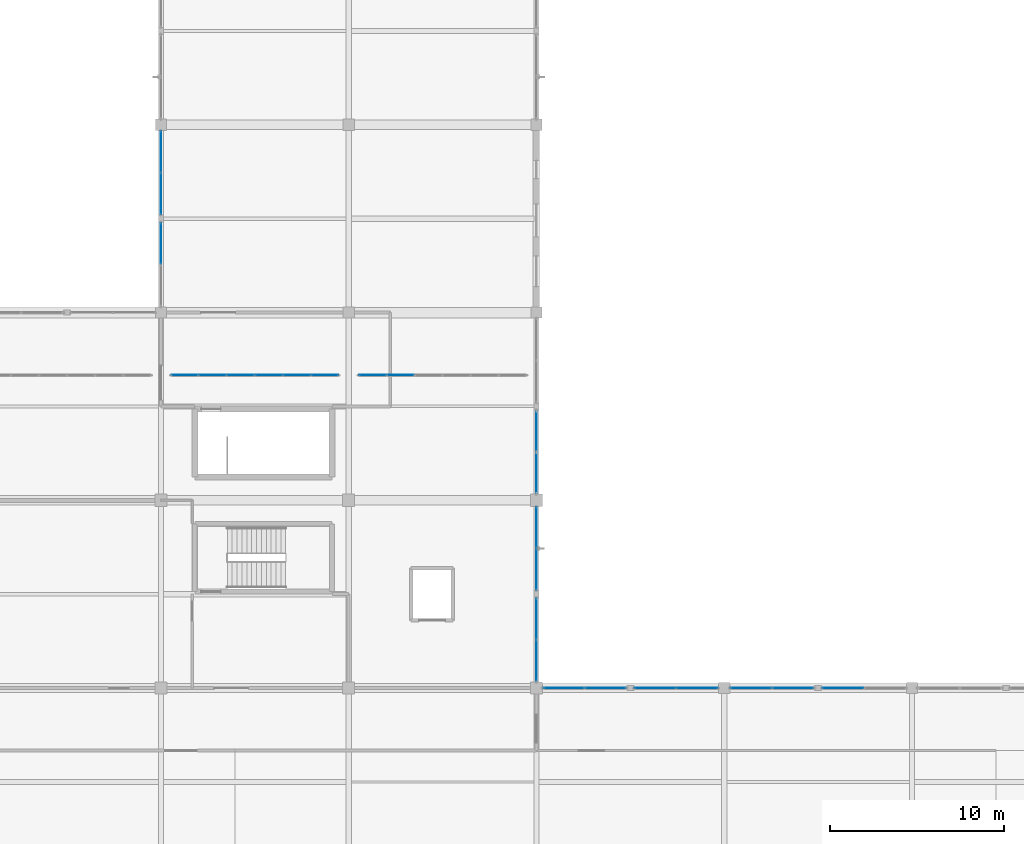
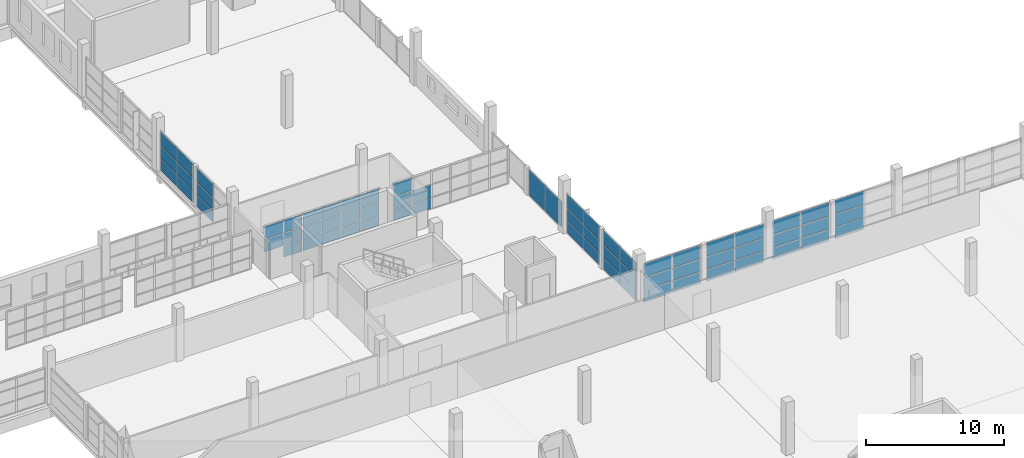
# One storey, part 97 of 142: 66 plates, 11 elements without a shape of their own.
"""IFC4 building model written with IfcOpenShell, lengths in metres."""

import ifcopenshell
import ifcopenshell.guid

model = None  # the IFC model being written
_history = None  # IfcOwnerHistory: only IFC2X3 demands one
_inside = {}  # id of a spatial element -> (the spatial element, [elements in it])
_under = {}  # id of a project, library or spatial element -> (it, [spatial elements below it])
_declared = {}  # id of a project -> (the project, [libraries it declares])
_typed = {}  # id of a type object -> (the type object, [elements of that type])
_made_of = {}  # id of a material, layer set ... -> (it, [elements and type objects made of it])


def new_model(schema):
    """Start an empty IFC model of exactly this schema.

    Asked for "IFC4X3", IfcOpenShell would pick the latest addendum, in which some entities
    have other attributes; the version numbers below select the first issue.
    IFC2X3 requires an IfcOwnerHistory on every rooted entity: one is made here for all.
    """
    global model, _history
    if schema == "IFC4X3":
        model = ifcopenshell.file(schema_version=(4, 3, 0, 0))
    else:
        model = ifcopenshell.file(schema=schema)
    _inside.clear()
    _under.clear()
    _declared.clear()
    _typed.clear()
    _made_of.clear()
    _history = None
    if model.schema == "IFC2X3":
        org = make("IfcOrganization", Name="unknown")
        user = make(
            "IfcPersonAndOrganization",
            ThePerson=make("IfcPerson", FamilyName="unknown"),
            TheOrganization=org,
        )
        app = make(
            "IfcApplication",
            ApplicationDeveloper=org,
            Version="unknown",
            ApplicationFullName="unknown",
            ApplicationIdentifier="unknown",
        )
        _history = make(
            "IfcOwnerHistory",
            OwningUser=user,
            OwningApplication=app,
            ChangeAction="ADDED",
            CreationDate=0,
        )
    return model


def make(cls, **values):
    """One entity of the class cls with the attributes given. An attribute that is None is left unset."""
    return model.create_entity(
        cls, **{name: value for name, value in values.items() if value is not None}
    )


def rooted(cls, **values):
    """An entity with a GlobalId (a new one), such as an element, a storey or a relation."""
    return make(cls, GlobalId=ifcopenshell.guid.new(), OwnerHistory=_history, **values)


def si_unit(unit_type, name, prefix=None):
    """IfcSIUnit, for example si_unit("LENGTHUNIT", "METRE", prefix="MILLI")."""
    return make("IfcSIUnit", UnitType=unit_type, Prefix=prefix, Name=name)


def assignment(units):
    """IfcUnitAssignment: the units of a project."""
    return None if units is None else make("IfcUnitAssignment", Units=units)


def point(xyz):
    """IfcCartesianPoint."""
    return None if xyz is None else make("IfcCartesianPoint", Coordinates=xyz)


def direction(xyz):
    """IfcDirection."""
    return None if xyz is None else make("IfcDirection", DirectionRatios=xyz)


def frame(location, z_axis=None, x_axis=None):
    """IfcAxis2Placement3D, a coordinate frame: its origin and axes. An axis left out is left unset."""
    return make(
        "IfcAxis2Placement3D",
        Location=point(location),
        Axis=direction(z_axis),
        RefDirection=direction(x_axis),
    )


def frame_2d(location, x_axis=None):
    """IfcAxis2Placement2D, a coordinate frame in the plane: its origin and x axis."""
    return make(
        "IfcAxis2Placement2D", Location=point(location), RefDirection=direction(x_axis)
    )


def origin():
    """The frame at (0, 0, 0) with its axes left unset."""
    return frame((0.0, 0.0, 0.0))


def origin_2d():
    """The frame at (0, 0) in the plane with its x axis left unset."""
    return frame_2d((0.0, 0.0))


def place(relative_to, where):
    """IfcLocalPlacement: puts the frame where relative to a parent placement (None: the world)."""
    return make(
        "IfcLocalPlacement", PlacementRelTo=relative_to, RelativePlacement=where
    )


def context(
    kind, dimensions, precision=None, world=None, true_north=None, identifier=None
):
    """IfcGeometricRepresentationContext, for example the 3D "Model" context."""
    return make(
        "IfcGeometricRepresentationContext",
        ContextIdentifier=identifier,
        ContextType=kind,
        CoordinateSpaceDimension=dimensions,
        Precision=precision,
        WorldCoordinateSystem=world,
        TrueNorth=true_north,
    )


def subcontext(parent, identifier, kind, view, scale=None):
    """IfcGeometricRepresentationSubContext, for example "Body" below "Model"."""
    return make(
        "IfcGeometricRepresentationSubContext",
        ContextIdentifier=identifier,
        ContextType=kind,
        ParentContext=parent,
        TargetScale=scale,
        TargetView=view,
    )


def project(units=None, contexts=None):
    """IfcProject with its units and contexts."""
    return rooted(
        "IfcProject",
        Name="project",
        RepresentationContexts=contexts,
        UnitsInContext=assignment(units),
    )


def spatial(cls, under=None, at=None, **own):
    """A site, building, storey or space (cls), placed at a placement, below another one or the project."""
    s = rooted(cls, ObjectPlacement=at, **own)
    if under is not None:
        _under.setdefault(under.id(), (under, []))[1].append(s)
    return s


def profile(cls, at=None, kind="AREA", **sizes):
    """A parametric profile (cls). Its sizes go by their IFC names, for example OverallWidth=200.0."""
    return make(cls, ProfileType=kind, Position=at, **sizes)


def rectangle(**sizes):
    """IfcRectangleProfileDef."""
    return profile("IfcRectangleProfileDef", **sizes)


def extrude(swept, where, along, depth):
    """IfcExtrudedAreaSolid: the profile swept, set in the frame where, extruded along a direction by depth."""
    return make(
        "IfcExtrudedAreaSolid",
        SweptArea=swept,
        Position=where,
        ExtrudedDirection=direction(along),
        Depth=depth,
    )


def shape(context_of_items, identifier, shape_type, items):
    """IfcShapeRepresentation: the items that make up one representation, for example the "Body"."""
    return make(
        "IfcShapeRepresentation",
        ContextOfItems=context_of_items,
        RepresentationIdentifier=identifier,
        RepresentationType=shape_type,
        Items=items,
    )


def material(Name=None, Category=None):
    """IfcMaterial."""
    return make("IfcMaterial", Name=Name, Category=Category)


def layer(
    of_material, thickness, ventilated=None, Name=None, Category=None, Priority=None
):
    """IfcMaterialLayer: one layer of a wall or slab, of a material (None: an air gap)."""
    return make(
        "IfcMaterialLayer",
        Material=of_material,
        LayerThickness=thickness,
        IsVentilated=ventilated,
        Name=Name,
        Category=Category,
        Priority=Priority,
    )


def layer_set(layers, Name=None):
    """IfcMaterialLayerSet."""
    return make("IfcMaterialLayerSet", MaterialLayers=layers, LayerSetName=Name)


def made_of(thing, what):
    """Note that an element or type object is made of a material, layer set ...; save() writes the relation."""
    if what is not None:
        _made_of.setdefault(what.id(), (what, []))[1].append(thing)
    return thing


def type_object(cls, material=None, **own):
    """A type object (cls), such as IfcWallType, which elements share."""
    return made_of(rooted(cls, **own), material)


def element(
    cls,
    number,
    at=None,
    inside=None,
    cuts=None,
    type_object=None,
    material=None,
    context=None,
    identifier="Body",
    shape_type=None,
    held_by="IfcProductDefinitionShape",
    body=None,
    shapes=None,
    **own,
):
    """One element of the class cls, such as IfcWall. Its Tag is "e" and its number.

    at: its placement. inside: the storey or other place that contains it. cuts: it is an
    opening in that element (IfcRelVoidsElement). A single representation is given by context,
    identifier, shape_type and body (its items); several are given by shapes. held_by: the class
    of the entity that holds the representations. save() writes the other relations.
    """
    e = rooted(cls, Tag="e%d" % number, ObjectPlacement=at, **own)
    if body is not None:
        shapes = [shape(context, identifier, shape_type, body)]
    if shapes is not None:
        e.Representation = make(held_by, Representations=shapes)
    if inside is not None:
        _inside.setdefault(inside.id(), (inside, []))[1].append(e)
    if cuts is not None:
        rooted(
            "IfcRelVoidsElement", RelatingBuildingElement=cuts, RelatedOpeningElement=e
        )
    if type_object is not None:
        _typed.setdefault(type_object.id(), (type_object, []))[1].append(e)
    return made_of(e, material)


def aggregate(whole, parts):
    """IfcRelAggregates: a whole, such as a stair, and the parts it consists of."""
    return rooted("IfcRelAggregates", RelatingObject=whole, RelatedObjects=parts)


def save(model, path):
    """Write the relations noted so far, then the file.

    IfcRelAggregates (storeys below a building ...), IfcRelContainedInSpatialStructure (elements
    in a storey), IfcRelDefinesByType, IfcRelAssociatesMaterial and IfcRelDeclares: one each for
    every whole, place, type object, material and project.
    """
    for whole, parts in _under.values():
        aggregate(whole, parts)
    for where, things in _inside.values():
        rooted(
            "IfcRelContainedInSpatialStructure",
            RelatedElements=things,
            RelatingStructure=where,
        )
    for kind, things in _typed.values():
        rooted("IfcRelDefinesByType", RelatedObjects=things, RelatingType=kind)
    for what, things in _made_of.values():
        rooted("IfcRelAssociatesMaterial", RelatedObjects=things, RelatingMaterial=what)
    for by, libraries in _declared.values():
        rooted("IfcRelDeclares", RelatingContext=by, RelatedDefinitions=libraries)
    model.write(path)


model = new_model("IFC4")

# Units and contexts
model_context = context("Model", 3, precision=1e-05, world=origin(), true_north=direction((0.0, 1.0)))
body_context = subcontext(model_context, "Body", "Model", "MODEL_VIEW")
ifc_project = project(units=[si_unit("LENGTHUNIT", "METRE"), si_unit("AREAUNIT", "SQUARE_METRE"), si_unit("VOLUMEUNIT", "CUBIC_METRE"), si_unit("PLANEANGLEUNIT", "RADIAN"), si_unit("MASSUNIT", "GRAM", prefix="KILO")], contexts=[model_context])

# Site, building, storey
site_placement = place(None, origin())
site = spatial("IfcSite", under=ifc_project, at=site_placement, CompositionType="ELEMENT")
building_placement = place(site_placement, origin())
building = spatial("IfcBuilding", under=site, at=building_placement, Name="Zwinboog Wholesale Market", CompositionType="ELEMENT")
storey_placement = place(building_placement, frame((0.0, 0.0, 5.39990234375)))
storey = spatial("IfcBuildingStorey", under=building, at=storey_placement, Name="L01", CompositionType="ELEMENT", Elevation=5.39990234375)

# Curtain wall, plates
ifc_material_1 = material(Name="Aluminium thermally broken curtain wall", Category="aluminium")
curtain_wall_type_1 = type_object("IfcCurtainWallType", Name="CWT-CAFE-22", PredefinedType="USERDEFINED", material=ifc_material_1)
curtain_wall_1_placement = place(storey_placement, origin())
curtain_wall_1 = element("IfcCurtainWall", 1, at=curtain_wall_1_placement, inside=storey, type_object=curtain_wall_type_1, Name="CW-05 (CW-L01-131)", ObjectType="STOREFRONT_GLAZING", PredefinedType="USERDEFINED")
ifc_material_2 = material(Name="Double low-e insulated glazing", Category="glass")
ifc_layer_1 = layer(ifc_material_2, 0.031982421875)
ifc_layer_set_1 = layer_set([ifc_layer_1], Name="Double low-e insulated glazing")
plate_type_1 = type_object("IfcPlateType", Name="CWP-IGU-32", PredefinedType="CURTAIN_PANEL", material=ifc_layer_set_1)
plate_1_placement = place(storey_placement, frame((172.800048828125, 33.97509765625, 0.065185546875), z_axis=(0.0, 0.0, 1.0), x_axis=(0.0, 1.0, 0.0)))
plate_1 = element("IfcPlate", 2, at=plate_1_placement, type_object=plate_type_1, Name="CW-05 panel 1.1", PredefinedType="CURTAIN_PANEL", context=body_context, shape_type="SweptSolid", body=[
    extrude(rectangle(XDim=2.330078125, YDim=0.031982421875, at=origin_2d()), origin(), (0.0, 0.0, 1.0), 1.00244140625),
])
plate_2_placement = place(storey_placement, frame((172.800048828125, 33.97509765625, 1.132568359375), z_axis=(0.0, 0.0, 1.0), x_axis=(0.0, 1.0, 0.0)))
plate_2 = element("IfcPlate", 3, at=plate_2_placement, type_object=plate_type_1, Name="CW-05 panel 1.2", PredefinedType="CURTAIN_PANEL", context=body_context, shape_type="SweptSolid", body=[
    extrude(rectangle(XDim=2.330078125, YDim=0.031982421875, at=origin_2d()), origin(), (0.0, 0.0, 1.0), 1.0849609375),
])
plate_3_placement = place(storey_placement, frame((172.800048828125, 33.97509765625, 2.282470703125), z_axis=(0.0, 0.0, 1.0), x_axis=(0.0, 1.0, 0.0)))
plate_3 = element("IfcPlate", 4, at=plate_3_placement, type_object=plate_type_1, Name="CW-05 panel 1.3", PredefinedType="CURTAIN_PANEL", context=body_context, shape_type="SweptSolid", body=[
    extrude(rectangle(XDim=2.330078125, YDim=0.031982421875, at=origin_2d()), origin(), (0.0, 0.0, 1.0), 1.1826171875),
])
plate_4_placement = place(storey_placement, frame((172.800048828125, 36.3701171875, 0.065185546875), z_axis=(0.0, 0.0, 1.0), x_axis=(0.0, 1.0, 0.0)))
plate_4 = element("IfcPlate", 5, at=plate_4_placement, type_object=plate_type_1, Name="CW-05 panel 2.1", PredefinedType="CURTAIN_PANEL", context=body_context, shape_type="SweptSolid", body=[
    extrude(rectangle(XDim=2.330078125, YDim=0.031982421875, at=origin_2d()), origin(), (0.0, 0.0, 1.0), 1.00244140625),
])
plate_5_placement = place(storey_placement, frame((172.800048828125, 36.3701171875, 1.132568359375), z_axis=(0.0, 0.0, 1.0), x_axis=(0.0, 1.0, 0.0)))
plate_5 = element("IfcPlate", 6, at=plate_5_placement, type_object=plate_type_1, Name="CW-05 panel 2.2", PredefinedType="CURTAIN_PANEL", context=body_context, shape_type="SweptSolid", body=[
    extrude(rectangle(XDim=2.330078125, YDim=0.031982421875, at=origin_2d()), origin(), (0.0, 0.0, 1.0), 1.0849609375),
])
plate_6_placement = place(storey_placement, frame((172.800048828125, 36.3701171875, 2.282470703125), z_axis=(0.0, 0.0, 1.0), x_axis=(0.0, 1.0, 0.0)))
plate_6 = element("IfcPlate", 7, at=plate_6_placement, type_object=plate_type_1, Name="CW-05 panel 2.3", PredefinedType="CURTAIN_PANEL", context=body_context, shape_type="SweptSolid", body=[
    extrude(rectangle(XDim=2.330078125, YDim=0.031982421875, at=origin_2d()), origin(), (0.0, 0.0, 1.0), 1.1826171875),
])
aggregate(curtain_wall_1, [plate_1, plate_2, plate_3, plate_4, plate_5, plate_6])

curtain_wall_type_2 = type_object("IfcCurtainWallType", Name="CWT-OFF-15", PredefinedType="USERDEFINED", material=ifc_material_1)
curtain_wall_2_placement = place(storey_placement, origin())
curtain_wall_2 = element("IfcCurtainWall", 8, at=curtain_wall_2_placement, inside=storey, type_object=curtain_wall_type_2, Name="CW-06 (CW-L01-132)", ObjectType="UNITIZED_CURTAIN_WALL", PredefinedType="USERDEFINED")
plate_7_placement = place(storey_placement, frame((172.800048828125, 39.228759765625, 0.06005859375), z_axis=(0.0, 0.0, 1.0), x_axis=(0.0, 1.0, 0.0)))
plate_7 = element("IfcPlate", 9, at=plate_7_placement, type_object=plate_type_1, Name="CW-06 panel 1.1", PredefinedType="CURTAIN_PANEL", context=body_context, shape_type="SweptSolid", body=[
    extrude(rectangle(XDim=2.33740234375, YDim=0.031982421875, at=origin_2d()), origin(), (0.0, 0.0, 1.0), 1.010009765625),
])
plate_8_placement = place(storey_placement, frame((172.800048828125, 39.228759765625, 1.1298828125), z_axis=(0.0, 0.0, 1.0), x_axis=(0.0, 1.0, 0.0)))
plate_8 = element("IfcPlate", 10, at=plate_8_placement, type_object=plate_type_1, Name="CW-06 panel 1.2", PredefinedType="CURTAIN_PANEL", context=body_context, shape_type="SweptSolid", body=[
    extrude(rectangle(XDim=2.33740234375, YDim=0.031982421875, at=origin_2d()), origin(), (0.0, 0.0, 1.0), 1.090087890625),
])
plate_9_placement = place(storey_placement, frame((172.800048828125, 39.228759765625, 2.280029296875), z_axis=(0.0, 0.0, 1.0), x_axis=(0.0, 1.0, 0.0)))
plate_9 = element("IfcPlate", 11, at=plate_9_placement, type_object=plate_type_1, Name="CW-06 panel 1.3", PredefinedType="CURTAIN_PANEL", context=body_context, shape_type="SweptSolid", body=[
    extrude(rectangle(XDim=2.33740234375, YDim=0.031982421875, at=origin_2d()), origin(), (0.0, 0.0, 1.0), 1.18994140625),
])
plate_10_placement = place(storey_placement, frame((172.800048828125, 41.626220703125, 0.06005859375), z_axis=(0.0, 0.0, 1.0), x_axis=(0.0, 1.0, 0.0)))
plate_10 = element("IfcPlate", 12, at=plate_10_placement, type_object=plate_type_1, Name="CW-06 panel 2.1", PredefinedType="CURTAIN_PANEL", context=body_context, shape_type="SweptSolid", body=[
    extrude(rectangle(XDim=2.33740234375, YDim=0.031982421875, at=origin_2d()), origin(), (0.0, 0.0, 1.0), 1.010009765625),
])
plate_11_placement = place(storey_placement, frame((172.800048828125, 41.626220703125, 1.1298828125), z_axis=(0.0, 0.0, 1.0), x_axis=(0.0, 1.0, 0.0)))
plate_11 = element("IfcPlate", 13, at=plate_11_placement, type_object=plate_type_1, Name="CW-06 panel 2.2", PredefinedType="CURTAIN_PANEL", context=body_context, shape_type="SweptSolid", body=[
    extrude(rectangle(XDim=2.33740234375, YDim=0.031982421875, at=origin_2d()), origin(), (0.0, 0.0, 1.0), 1.090087890625),
])
plate_12_placement = place(storey_placement, frame((172.800048828125, 41.626220703125, 2.280029296875), z_axis=(0.0, 0.0, 1.0), x_axis=(0.0, 1.0, 0.0)))
plate_12 = element("IfcPlate", 14, at=plate_12_placement, type_object=plate_type_1, Name="CW-06 panel 2.3", PredefinedType="CURTAIN_PANEL", context=body_context, shape_type="SweptSolid", body=[
    extrude(rectangle(XDim=2.33740234375, YDim=0.031982421875, at=origin_2d()), origin(), (0.0, 0.0, 1.0), 1.18994140625),
])
aggregate(curtain_wall_2, [plate_7, plate_8, plate_9, plate_10, plate_11, plate_12])

curtain_wall_3_placement = place(storey_placement, origin())
curtain_wall_3 = element("IfcCurtainWall", 15, at=curtain_wall_3_placement, inside=storey, type_object=curtain_wall_type_1, Name="CW-05 (CW-L01-143)", ObjectType="STOREFRONT_GLAZING", PredefinedType="USERDEFINED")
plate_13_placement = place(storey_placement, frame((174.375, 32.39990234375, 0.065185546875), z_axis=(0.0, 0.0, 1.0), x_axis=(1.0, 0.0, 0.0)))
plate_13 = element("IfcPlate", 16, at=plate_13_placement, type_object=plate_type_1, Name="CW-05 panel 1.1", PredefinedType="CURTAIN_PANEL", context=body_context, shape_type="SweptSolid", body=[
    extrude(rectangle(XDim=2.330078125, YDim=0.031982421875, at=origin_2d()), origin(), (0.0, 0.0, 1.0), 1.00244140625),
])
plate_14_placement = place(storey_placement, frame((174.375, 32.39990234375, 1.132568359375), z_axis=(0.0, 0.0, 1.0), x_axis=(1.0, 0.0, 0.0)))
plate_14 = element("IfcPlate", 17, at=plate_14_placement, type_object=plate_type_1, Name="CW-05 panel 1.2", PredefinedType="CURTAIN_PANEL", context=body_context, shape_type="SweptSolid", body=[
    extrude(rectangle(XDim=2.330078125, YDim=0.031982421875, at=origin_2d()), origin(), (0.0, 0.0, 1.0), 1.0849609375),
])
plate_15_placement = place(storey_placement, frame((174.375, 32.39990234375, 2.282470703125), z_axis=(0.0, 0.0, 1.0), x_axis=(1.0, 0.0, 0.0)))
plate_15 = element("IfcPlate", 18, at=plate_15_placement, type_object=plate_type_1, Name="CW-05 panel 1.3", PredefinedType="CURTAIN_PANEL", context=body_context, shape_type="SweptSolid", body=[
    extrude(rectangle(XDim=2.330078125, YDim=0.031982421875, at=origin_2d()), origin(), (0.0, 0.0, 1.0), 1.1826171875),
])
plate_16_placement = place(storey_placement, frame((176.77001953125, 32.39990234375, 0.065185546875), z_axis=(0.0, 0.0, 1.0), x_axis=(1.0, 0.0, 0.0)))
plate_16 = element("IfcPlate", 19, at=plate_16_placement, type_object=plate_type_1, Name="CW-05 panel 2.1", PredefinedType="CURTAIN_PANEL", context=body_context, shape_type="SweptSolid", body=[
    extrude(rectangle(XDim=2.330078125, YDim=0.031982421875, at=origin_2d()), origin(), (0.0, 0.0, 1.0), 1.00244140625),
])
plate_17_placement = place(storey_placement, frame((176.77001953125, 32.39990234375, 1.132568359375), z_axis=(0.0, 0.0, 1.0), x_axis=(1.0, 0.0, 0.0)))
plate_17 = element("IfcPlate", 20, at=plate_17_placement, type_object=plate_type_1, Name="CW-05 panel 2.2", PredefinedType="CURTAIN_PANEL", context=body_context, shape_type="SweptSolid", body=[
    extrude(rectangle(XDim=2.330078125, YDim=0.031982421875, at=origin_2d()), origin(), (0.0, 0.0, 1.0), 1.0849609375),
])
plate_18_placement = place(storey_placement, frame((176.77001953125, 32.39990234375, 2.282470703125), z_axis=(0.0, 0.0, 1.0), x_axis=(1.0, 0.0, 0.0)))
plate_18 = element("IfcPlate", 21, at=plate_18_placement, type_object=plate_type_1, Name="CW-05 panel 2.3", PredefinedType="CURTAIN_PANEL", context=body_context, shape_type="SweptSolid", body=[
    extrude(rectangle(XDim=2.330078125, YDim=0.031982421875, at=origin_2d()), origin(), (0.0, 0.0, 1.0), 1.1826171875),
])
aggregate(curtain_wall_3, [plate_13, plate_14, plate_15, plate_16, plate_17, plate_18])

curtain_wall_4_placement = place(storey_placement, origin())
curtain_wall_4 = element("IfcCurtainWall", 22, at=curtain_wall_4_placement, inside=storey, type_object=curtain_wall_type_2, Name="CW-06 (CW-L01-144)", ObjectType="UNITIZED_CURTAIN_WALL", PredefinedType="USERDEFINED")
plate_19_placement = place(storey_placement, frame((179.635009765625, 32.39990234375, 0.06005859375), z_axis=(0.0, 0.0, 1.0), x_axis=(1.0, 0.0, 0.0)))
plate_19 = element("IfcPlate", 23, at=plate_19_placement, type_object=plate_type_1, Name="CW-06 panel 1.1", PredefinedType="CURTAIN_PANEL", context=body_context, shape_type="SweptSolid", body=[
    extrude(rectangle(XDim=2.35009765625, YDim=0.031982421875, at=origin_2d()), origin(), (0.0, 0.0, 1.0), 1.010009765625),
])
plate_20_placement = place(storey_placement, frame((179.635009765625, 32.39990234375, 1.1298828125), z_axis=(0.0, 0.0, 1.0), x_axis=(1.0, 0.0, 0.0)))
plate_20 = element("IfcPlate", 24, at=plate_20_placement, type_object=plate_type_1, Name="CW-06 panel 1.2", PredefinedType="CURTAIN_PANEL", context=body_context, shape_type="SweptSolid", body=[
    extrude(rectangle(XDim=2.35009765625, YDim=0.031982421875, at=origin_2d()), origin(), (0.0, 0.0, 1.0), 1.090087890625),
])
plate_21_placement = place(storey_placement, frame((179.635009765625, 32.39990234375, 2.280029296875), z_axis=(0.0, 0.0, 1.0), x_axis=(1.0, 0.0, 0.0)))
plate_21 = element("IfcPlate", 25, at=plate_21_placement, type_object=plate_type_1, Name="CW-06 panel 1.3", PredefinedType="CURTAIN_PANEL", context=body_context, shape_type="SweptSolid", body=[
    extrude(rectangle(XDim=2.35009765625, YDim=0.031982421875, at=origin_2d()), origin(), (0.0, 0.0, 1.0), 1.18994140625),
])
plate_22_placement = place(storey_placement, frame((182.044921875, 32.39990234375, 0.06005859375), z_axis=(0.0, 0.0, 1.0), x_axis=(1.0, 0.0, 0.0)))
plate_22 = element("IfcPlate", 26, at=plate_22_placement, type_object=plate_type_1, Name="CW-06 panel 2.1", PredefinedType="CURTAIN_PANEL", context=body_context, shape_type="SweptSolid", body=[
    extrude(rectangle(XDim=2.35009765625, YDim=0.031982421875, at=origin_2d()), origin(), (0.0, 0.0, 1.0), 1.010009765625),
])
plate_23_placement = place(storey_placement, frame((182.044921875, 32.39990234375, 1.1298828125), z_axis=(0.0, 0.0, 1.0), x_axis=(1.0, 0.0, 0.0)))
plate_23 = element("IfcPlate", 27, at=plate_23_placement, type_object=plate_type_1, Name="CW-06 panel 2.2", PredefinedType="CURTAIN_PANEL", context=body_context, shape_type="SweptSolid", body=[
    extrude(rectangle(XDim=2.35009765625, YDim=0.031982421875, at=origin_2d()), origin(), (0.0, 0.0, 1.0), 1.090087890625),
])
plate_24_placement = place(storey_placement, frame((182.044921875, 32.39990234375, 2.280029296875), z_axis=(0.0, 0.0, 1.0), x_axis=(1.0, 0.0, 0.0)))
plate_24 = element("IfcPlate", 28, at=plate_24_placement, type_object=plate_type_1, Name="CW-06 panel 2.3", PredefinedType="CURTAIN_PANEL", context=body_context, shape_type="SweptSolid", body=[
    extrude(rectangle(XDim=2.35009765625, YDim=0.031982421875, at=origin_2d()), origin(), (0.0, 0.0, 1.0), 1.18994140625),
])
aggregate(curtain_wall_4, [plate_19, plate_20, plate_21, plate_22, plate_23, plate_24])

curtain_wall_type_3 = type_object("IfcCurtainWallType", Name="CWT-STALL-18", PredefinedType="USERDEFINED", material=ifc_material_1)
curtain_wall_5_placement = place(storey_placement, origin())
curtain_wall_5 = element("IfcCurtainWall", 29, at=curtain_wall_5_placement, inside=storey, type_object=curtain_wall_type_3, Name="CW-01 (CW-L01-145)", ObjectType="STOREFRONT_GLAZING", PredefinedType="USERDEFINED")
plate_25_placement = place(storey_placement, frame((185.15625, 32.39990234375, 0.065185546875), z_axis=(0.0, 0.0, 1.0), x_axis=(1.0, 0.0, 0.0)))
plate_25 = element("IfcPlate", 30, at=plate_25_placement, type_object=plate_type_1, Name="CW-01 panel 1.1", PredefinedType="CURTAIN_PANEL", context=body_context, shape_type="SweptSolid", body=[
    extrude(rectangle(XDim=2.342529296875, YDim=0.031982421875, at=origin_2d()), origin(), (0.0, 0.0, 1.0), 1.00244140625),
])
plate_26_placement = place(storey_placement, frame((185.15625, 32.39990234375, 1.132568359375), z_axis=(0.0, 0.0, 1.0), x_axis=(1.0, 0.0, 0.0)))
plate_26 = element("IfcPlate", 31, at=plate_26_placement, type_object=plate_type_1, Name="CW-01 panel 1.2", PredefinedType="CURTAIN_PANEL", context=body_context, shape_type="SweptSolid", body=[
    extrude(rectangle(XDim=2.342529296875, YDim=0.031982421875, at=origin_2d()), origin(), (0.0, 0.0, 1.0), 1.0849609375),
])
plate_27_placement = place(storey_placement, frame((185.15625, 32.39990234375, 2.282470703125), z_axis=(0.0, 0.0, 1.0), x_axis=(1.0, 0.0, 0.0)))
plate_27 = element("IfcPlate", 32, at=plate_27_placement, type_object=plate_type_1, Name="CW-01 panel 1.3", PredefinedType="CURTAIN_PANEL", context=body_context, shape_type="SweptSolid", body=[
    extrude(rectangle(XDim=2.342529296875, YDim=0.031982421875, at=origin_2d()), origin(), (0.0, 0.0, 1.0), 1.1826171875),
])
plate_28_placement = place(storey_placement, frame((187.563720703125, 32.39990234375, 0.065185546875), z_axis=(0.0, 0.0, 1.0), x_axis=(1.0, 0.0, 0.0)))
plate_28 = element("IfcPlate", 33, at=plate_28_placement, type_object=plate_type_1, Name="CW-01 panel 2.1", PredefinedType="CURTAIN_PANEL", context=body_context, shape_type="SweptSolid", body=[
    extrude(rectangle(XDim=2.342529296875, YDim=0.031982421875, at=origin_2d()), origin(), (0.0, 0.0, 1.0), 1.00244140625),
])
plate_29_placement = place(storey_placement, frame((187.563720703125, 32.39990234375, 1.132568359375), z_axis=(0.0, 0.0, 1.0), x_axis=(1.0, 0.0, 0.0)))
plate_29 = element("IfcPlate", 34, at=plate_29_placement, type_object=plate_type_1, Name="CW-01 panel 2.2", PredefinedType="CURTAIN_PANEL", context=body_context, shape_type="SweptSolid", body=[
    extrude(rectangle(XDim=2.342529296875, YDim=0.031982421875, at=origin_2d()), origin(), (0.0, 0.0, 1.0), 1.0849609375),
])
plate_30_placement = place(storey_placement, frame((187.563720703125, 32.39990234375, 2.282470703125), z_axis=(0.0, 0.0, 1.0), x_axis=(1.0, 0.0, 0.0)))
plate_30 = element("IfcPlate", 35, at=plate_30_placement, type_object=plate_type_1, Name="CW-01 panel 2.3", PredefinedType="CURTAIN_PANEL", context=body_context, shape_type="SweptSolid", body=[
    extrude(rectangle(XDim=2.342529296875, YDim=0.031982421875, at=origin_2d()), origin(), (0.0, 0.0, 1.0), 1.1826171875),
])
aggregate(curtain_wall_5, [plate_25, plate_26, plate_27, plate_28, plate_29, plate_30])

curtain_wall_type_4 = type_object("IfcCurtainWallType", Name="CWT-STALL-20", PredefinedType="USERDEFINED", material=ifc_material_1)
curtain_wall_6_placement = place(storey_placement, origin())
curtain_wall_6 = element("IfcCurtainWall", 36, at=curtain_wall_6_placement, inside=storey, type_object=curtain_wall_type_4, Name="CW-02 (CW-L01-146)", ObjectType="STOREFRONT_GLAZING", PredefinedType="USERDEFINED")
plate_31_placement = place(storey_placement, frame((190.43505859375, 32.39990234375, 0.06005859375), z_axis=(0.0, 0.0, 1.0), x_axis=(1.0, 0.0, 0.0)))
plate_31 = element("IfcPlate", 37, at=plate_31_placement, type_object=plate_type_1, Name="CW-02 panel 1.1", PredefinedType="CURTAIN_PANEL", context=body_context, shape_type="SweptSolid", body=[
    extrude(rectangle(XDim=2.35009765625, YDim=0.031982421875, at=origin_2d()), origin(), (0.0, 0.0, 1.0), 1.010009765625),
])
plate_32_placement = place(storey_placement, frame((190.43505859375, 32.39990234375, 1.1298828125), z_axis=(0.0, 0.0, 1.0), x_axis=(1.0, 0.0, 0.0)))
plate_32 = element("IfcPlate", 38, at=plate_32_placement, type_object=plate_type_1, Name="CW-02 panel 1.2", PredefinedType="CURTAIN_PANEL", context=body_context, shape_type="SweptSolid", body=[
    extrude(rectangle(XDim=2.35009765625, YDim=0.031982421875, at=origin_2d()), origin(), (0.0, 0.0, 1.0), 1.090087890625),
])
plate_33_placement = place(storey_placement, frame((190.43505859375, 32.39990234375, 2.280029296875), z_axis=(0.0, 0.0, 1.0), x_axis=(1.0, 0.0, 0.0)))
plate_33 = element("IfcPlate", 39, at=plate_33_placement, type_object=plate_type_1, Name="CW-02 panel 1.3", PredefinedType="CURTAIN_PANEL", context=body_context, shape_type="SweptSolid", body=[
    extrude(rectangle(XDim=2.35009765625, YDim=0.031982421875, at=origin_2d()), origin(), (0.0, 0.0, 1.0), 1.18994140625),
])
aggregate(curtain_wall_6, [plate_31, plate_32, plate_33])

curtain_wall_7_placement = place(storey_placement, origin())
curtain_wall_7 = element("IfcCurtainWall", 40, at=curtain_wall_7_placement, inside=storey, type_object=curtain_wall_type_3, Name="CW-01 (CW-L01-127)", ObjectType="STOREFRONT_GLAZING", PredefinedType="USERDEFINED")
ifc_material_3 = material(Name="Triple solar-control insulated glazing", Category="glass")
ifc_layer_2 = layer(ifc_material_3, 0.0380859375)
ifc_layer_set_2 = layer_set([ifc_layer_2], Name="Triple solar-control insulated glazing")
plate_type_2 = type_object("IfcPlateType", Name="CWP-IGU-38", PredefinedType="CURTAIN_PANEL", material=ifc_layer_set_2)
plate_34_placement = place(storey_placement, frame((151.199951171875, 57.9638671875, 0.065185546875), z_axis=(0.0, 0.0, 1.0), x_axis=(0.0, 1.0, 0.0)))
plate_34 = element("IfcPlate", 41, at=plate_34_placement, type_object=plate_type_2, Name="CW-01 panel 2.1", PredefinedType="CURTAIN_PANEL", context=body_context, shape_type="SweptSolid", body=[
    extrude(rectangle(XDim=2.342529296875, YDim=0.0380859375, at=origin_2d()), origin(), (0.0, 0.0, 1.0), 1.00244140625),
])
plate_35_placement = place(storey_placement, frame((151.199951171875, 57.9638671875, 1.132568359375), z_axis=(0.0, 0.0, 1.0), x_axis=(0.0, 1.0, 0.0)))
plate_35 = element("IfcPlate", 42, at=plate_35_placement, type_object=plate_type_2, Name="CW-01 panel 2.2", PredefinedType="CURTAIN_PANEL", context=body_context, shape_type="SweptSolid", body=[
    extrude(rectangle(XDim=2.342529296875, YDim=0.0380859375, at=origin_2d()), origin(), (0.0, 0.0, 1.0), 1.0849609375),
])
plate_36_placement = place(storey_placement, frame((151.199951171875, 57.9638671875, 2.282470703125), z_axis=(0.0, 0.0, 1.0), x_axis=(0.0, 1.0, 0.0)))
plate_36 = element("IfcPlate", 43, at=plate_36_placement, type_object=plate_type_2, Name="CW-01 panel 2.3", PredefinedType="CURTAIN_PANEL", context=body_context, shape_type="SweptSolid", body=[
    extrude(rectangle(XDim=2.342529296875, YDim=0.0380859375, at=origin_2d()), origin(), (0.0, 0.0, 1.0), 1.1826171875),
])
aggregate(curtain_wall_7, [plate_34, plate_35, plate_36])

curtain_wall_8_placement = place(storey_placement, origin())
curtain_wall_8 = element("IfcCurtainWall", 44, at=curtain_wall_8_placement, inside=storey, type_object=curtain_wall_type_4, Name="CW-02 (CW-L01-128)", ObjectType="STOREFRONT_GLAZING", PredefinedType="USERDEFINED")
plate_37_placement = place(storey_placement, frame((151.199951171875, 60.8349609375, 0.06005859375), z_axis=(0.0, 0.0, 1.0), x_axis=(0.0, 1.0, 0.0)))
plate_37 = element("IfcPlate", 45, at=plate_37_placement, type_object=plate_type_2, Name="CW-02 panel 1.1", PredefinedType="CURTAIN_PANEL", context=body_context, shape_type="SweptSolid", body=[
    extrude(rectangle(XDim=2.35009765625, YDim=0.0380859375, at=origin_2d()), origin(), (0.0, 0.0, 1.0), 1.010009765625),
])
plate_38_placement = place(storey_placement, frame((151.199951171875, 60.8349609375, 1.1298828125), z_axis=(0.0, 0.0, 1.0), x_axis=(0.0, 1.0, 0.0)))
plate_38 = element("IfcPlate", 46, at=plate_38_placement, type_object=plate_type_2, Name="CW-02 panel 1.2", PredefinedType="CURTAIN_PANEL", context=body_context, shape_type="SweptSolid", body=[
    extrude(rectangle(XDim=2.35009765625, YDim=0.0380859375, at=origin_2d()), origin(), (0.0, 0.0, 1.0), 1.090087890625),
])
plate_39_placement = place(storey_placement, frame((151.199951171875, 60.8349609375, 2.280029296875), z_axis=(0.0, 0.0, 1.0), x_axis=(0.0, 1.0, 0.0)))
plate_39 = element("IfcPlate", 47, at=plate_39_placement, type_object=plate_type_2, Name="CW-02 panel 1.3", PredefinedType="CURTAIN_PANEL", context=body_context, shape_type="SweptSolid", body=[
    extrude(rectangle(XDim=2.35009765625, YDim=0.0380859375, at=origin_2d()), origin(), (0.0, 0.0, 1.0), 1.18994140625),
])
plate_40_placement = place(storey_placement, frame((151.199951171875, 63.2451171875, 0.06005859375), z_axis=(0.0, 0.0, 1.0), x_axis=(0.0, 1.0, 0.0)))
plate_40 = element("IfcPlate", 48, at=plate_40_placement, type_object=plate_type_2, Name="CW-02 panel 2.1", PredefinedType="CURTAIN_PANEL", context=body_context, shape_type="SweptSolid", body=[
    extrude(rectangle(XDim=2.35009765625, YDim=0.0380859375, at=origin_2d()), origin(), (0.0, 0.0, 1.0), 1.010009765625),
])
plate_41_placement = place(storey_placement, frame((151.199951171875, 63.2451171875, 1.1298828125), z_axis=(0.0, 0.0, 1.0), x_axis=(0.0, 1.0, 0.0)))
plate_41 = element("IfcPlate", 49, at=plate_41_placement, type_object=plate_type_2, Name="CW-02 panel 2.2", PredefinedType="CURTAIN_PANEL", context=body_context, shape_type="SweptSolid", body=[
    extrude(rectangle(XDim=2.35009765625, YDim=0.0380859375, at=origin_2d()), origin(), (0.0, 0.0, 1.0), 1.090087890625),
])
plate_42_placement = place(storey_placement, frame((151.199951171875, 63.2451171875, 2.280029296875), z_axis=(0.0, 0.0, 1.0), x_axis=(0.0, 1.0, 0.0)))
plate_42 = element("IfcPlate", 50, at=plate_42_placement, type_object=plate_type_2, Name="CW-02 panel 2.3", PredefinedType="CURTAIN_PANEL", context=body_context, shape_type="SweptSolid", body=[
    extrude(rectangle(XDim=2.35009765625, YDim=0.0380859375, at=origin_2d()), origin(), (0.0, 0.0, 1.0), 1.18994140625),
])
aggregate(curtain_wall_8, [plate_37, plate_38, plate_39, plate_40, plate_41, plate_42])

curtain_wall_9_placement = place(storey_placement, origin())
curtain_wall_9 = element("IfcCurtainWall", 51, at=curtain_wall_9_placement, inside=storey, type_object=curtain_wall_type_3, Name="CW-01 (CW-L01-133)", ObjectType="STOREFRONT_GLAZING", PredefinedType="USERDEFINED")
plate_43_placement = place(storey_placement, frame((172.800048828125, 44.77490234375, 0.065185546875), z_axis=(0.0, 0.0, 1.0), x_axis=(0.0, 1.0, 0.0)))
plate_43 = element("IfcPlate", 52, at=plate_43_placement, type_object=plate_type_2, Name="CW-01 panel 1.1", PredefinedType="CURTAIN_PANEL", context=body_context, shape_type="SweptSolid", body=[
    extrude(rectangle(XDim=2.330078125, YDim=0.0380859375, at=origin_2d()), origin(), (0.0, 0.0, 1.0), 2.25),
])
plate_44_placement = place(storey_placement, frame((172.800048828125, 47.169921875, 0.065185546875), z_axis=(0.0, 0.0, 1.0), x_axis=(0.0, 1.0, 0.0)))
plate_44 = element("IfcPlate", 53, at=plate_44_placement, type_object=plate_type_2, Name="CW-01 panel 2.1", PredefinedType="CURTAIN_PANEL", context=body_context, shape_type="SweptSolid", body=[
    extrude(rectangle(XDim=2.330078125, YDim=0.0380859375, at=origin_2d()), origin(), (0.0, 0.0, 1.0), 2.25),
])
aggregate(curtain_wall_9, [plate_43, plate_44])

curtain_wall_type_5 = type_object("IfcCurtainWallType", Name="CWT-INT-STALL", PredefinedType="USERDEFINED", material=ifc_material_1)
curtain_wall_10_placement = place(storey_placement, origin())
curtain_wall_10 = element("IfcCurtainWall", 54, at=curtain_wall_10_placement, inside=storey, type_object=curtain_wall_type_5, Name="CW-07 (CW-STL-233)", ObjectType="STOREFRONT_GLAZING", PredefinedType="USERDEFINED")
ifc_material_4 = material(Name="Tempered laminated market stall glazing", Category="glass")
ifc_layer_3 = layer(ifc_material_4, 0.01611328125)
ifc_layer_set_3 = layer_set([ifc_layer_3], Name="Tempered laminated market stall glazing")
plate_type_3 = type_object("IfcPlateType", Name="CWP-INT-16", PredefinedType="CURTAIN_PANEL", material=ifc_layer_set_3)
plate_45_placement = place(storey_placement, frame((152.5732421875, 50.39990234375, 1.080078125), z_axis=(0.0, 0.0, 1.0), x_axis=(1.0, 0.0, 0.0)))
plate_45 = element("IfcPlate", 55, at=plate_45_placement, type_object=plate_type_3, Name="CW-07 panel 1.2", PredefinedType="CURTAIN_PANEL", context=body_context, shape_type="SweptSolid", body=[
    extrude(rectangle(XDim=1.526611328125, YDim=0.01611328125, at=origin_2d()), origin(), (0.0, 0.0, 1.0), 1.090087890625),
])
plate_46_placement = place(storey_placement, frame((152.5732421875, 50.39990234375, 2.22998046875), z_axis=(0.0, 0.0, 1.0), x_axis=(1.0, 0.0, 0.0)))
plate_46 = element("IfcPlate", 56, at=plate_46_placement, type_object=plate_type_3, Name="CW-07 panel 1.3", PredefinedType="CURTAIN_PANEL", context=body_context, shape_type="SweptSolid", body=[
    extrude(rectangle(XDim=1.526611328125, YDim=0.01611328125, at=origin_2d()), origin(), (0.0, 0.0, 1.0), 1.110107421875),
])
plate_47_placement = place(storey_placement, frame((154.175048828125, 50.39990234375, 0.06005859375), z_axis=(0.0, 0.0, 1.0), x_axis=(1.0, 0.0, 0.0)))
plate_47 = element("IfcPlate", 57, at=plate_47_placement, type_object=plate_type_3, Name="CW-07 panel 2.1", PredefinedType="CURTAIN_PANEL", context=body_context, shape_type="SweptSolid", body=[
    extrude(rectangle(XDim=1.556640625, YDim=0.01611328125, at=origin_2d()), origin(), (0.0, 0.0, 1.0), 0.9599609375),
])
plate_48_placement = place(storey_placement, frame((154.175048828125, 50.39990234375, 1.080078125), z_axis=(0.0, 0.0, 1.0), x_axis=(1.0, 0.0, 0.0)))
plate_48 = element("IfcPlate", 58, at=plate_48_placement, type_object=plate_type_3, Name="CW-07 panel 2.2", PredefinedType="CURTAIN_PANEL", context=body_context, shape_type="SweptSolid", body=[
    extrude(rectangle(XDim=1.556640625, YDim=0.01611328125, at=origin_2d()), origin(), (0.0, 0.0, 1.0), 1.090087890625),
])
plate_49_placement = place(storey_placement, frame((154.175048828125, 50.39990234375, 2.22998046875), z_axis=(0.0, 0.0, 1.0), x_axis=(1.0, 0.0, 0.0)))
plate_49 = element("IfcPlate", 59, at=plate_49_placement, type_object=plate_type_3, Name="CW-07 panel 2.3", PredefinedType="CURTAIN_PANEL", context=body_context, shape_type="SweptSolid", body=[
    extrude(rectangle(XDim=1.556640625, YDim=0.01611328125, at=origin_2d()), origin(), (0.0, 0.0, 1.0), 1.110107421875),
])
plate_50_placement = place(storey_placement, frame((155.791748046875, 50.39990234375, 0.06005859375), z_axis=(0.0, 0.0, 1.0), x_axis=(1.0, 0.0, 0.0)))
plate_50 = element("IfcPlate", 60, at=plate_50_placement, type_object=plate_type_3, Name="CW-07 panel 3.1", PredefinedType="CURTAIN_PANEL", context=body_context, shape_type="SweptSolid", body=[
    extrude(rectangle(XDim=1.556640625, YDim=0.01611328125, at=origin_2d()), origin(), (0.0, 0.0, 1.0), 0.9599609375),
])
plate_51_placement = place(storey_placement, frame((155.791748046875, 50.39990234375, 1.080078125), z_axis=(0.0, 0.0, 1.0), x_axis=(1.0, 0.0, 0.0)))
plate_51 = element("IfcPlate", 61, at=plate_51_placement, type_object=plate_type_3, Name="CW-07 panel 3.2", PredefinedType="CURTAIN_PANEL", context=body_context, shape_type="SweptSolid", body=[
    extrude(rectangle(XDim=1.556640625, YDim=0.01611328125, at=origin_2d()), origin(), (0.0, 0.0, 1.0), 1.090087890625),
])
plate_52_placement = place(storey_placement, frame((155.791748046875, 50.39990234375, 2.22998046875), z_axis=(0.0, 0.0, 1.0), x_axis=(1.0, 0.0, 0.0)))
plate_52 = element("IfcPlate", 62, at=plate_52_placement, type_object=plate_type_3, Name="CW-07 panel 3.3", PredefinedType="CURTAIN_PANEL", context=body_context, shape_type="SweptSolid", body=[
    extrude(rectangle(XDim=1.556640625, YDim=0.01611328125, at=origin_2d()), origin(), (0.0, 0.0, 1.0), 1.110107421875),
])
plate_53_placement = place(storey_placement, frame((157.408447265625, 50.39990234375, 0.06005859375), z_axis=(0.0, 0.0, 1.0), x_axis=(1.0, 0.0, 0.0)))
plate_53 = element("IfcPlate", 63, at=plate_53_placement, type_object=plate_type_3, Name="CW-07 panel 4.1", PredefinedType="CURTAIN_PANEL", context=body_context, shape_type="SweptSolid", body=[
    extrude(rectangle(XDim=1.556640625, YDim=0.01611328125, at=origin_2d()), origin(), (0.0, 0.0, 1.0), 0.9599609375),
])
plate_54_placement = place(storey_placement, frame((157.408447265625, 50.39990234375, 1.080078125), z_axis=(0.0, 0.0, 1.0), x_axis=(1.0, 0.0, 0.0)))
plate_54 = element("IfcPlate", 64, at=plate_54_placement, type_object=plate_type_3, Name="CW-07 panel 4.2", PredefinedType="CURTAIN_PANEL", context=body_context, shape_type="SweptSolid", body=[
    extrude(rectangle(XDim=1.556640625, YDim=0.01611328125, at=origin_2d()), origin(), (0.0, 0.0, 1.0), 1.090087890625),
])
plate_55_placement = place(storey_placement, frame((157.408447265625, 50.39990234375, 2.22998046875), z_axis=(0.0, 0.0, 1.0), x_axis=(1.0, 0.0, 0.0)))
plate_55 = element("IfcPlate", 65, at=plate_55_placement, type_object=plate_type_3, Name="CW-07 panel 4.3", PredefinedType="CURTAIN_PANEL", context=body_context, shape_type="SweptSolid", body=[
    extrude(rectangle(XDim=1.556640625, YDim=0.01611328125, at=origin_2d()), origin(), (0.0, 0.0, 1.0), 1.110107421875),
])
plate_56_placement = place(storey_placement, frame((159.02490234375, 50.39990234375, 0.06005859375), z_axis=(0.0, 0.0, 1.0), x_axis=(1.0, 0.0, 0.0)))
plate_56 = element("IfcPlate", 66, at=plate_56_placement, type_object=plate_type_3, Name="CW-07 panel 5.1", PredefinedType="CURTAIN_PANEL", context=body_context, shape_type="SweptSolid", body=[
    extrude(rectangle(XDim=1.556640625, YDim=0.01611328125, at=origin_2d()), origin(), (0.0, 0.0, 1.0), 0.9599609375),
])
plate_57_placement = place(storey_placement, frame((159.02490234375, 50.39990234375, 1.080078125), z_axis=(0.0, 0.0, 1.0), x_axis=(1.0, 0.0, 0.0)))
plate_57 = element("IfcPlate", 67, at=plate_57_placement, type_object=plate_type_3, Name="CW-07 panel 5.2", PredefinedType="CURTAIN_PANEL", context=body_context, shape_type="SweptSolid", body=[
    extrude(rectangle(XDim=1.556640625, YDim=0.01611328125, at=origin_2d()), origin(), (0.0, 0.0, 1.0), 1.090087890625),
])
plate_58_placement = place(storey_placement, frame((159.02490234375, 50.39990234375, 2.22998046875), z_axis=(0.0, 0.0, 1.0), x_axis=(1.0, 0.0, 0.0)))
plate_58 = element("IfcPlate", 68, at=plate_58_placement, type_object=plate_type_3, Name="CW-07 panel 5.3", PredefinedType="CURTAIN_PANEL", context=body_context, shape_type="SweptSolid", body=[
    extrude(rectangle(XDim=1.556640625, YDim=0.01611328125, at=origin_2d()), origin(), (0.0, 0.0, 1.0), 1.110107421875),
])
plate_59_placement = place(storey_placement, frame((160.626708984375, 50.39990234375, 0.06005859375), z_axis=(0.0, 0.0, 1.0), x_axis=(1.0, 0.0, 0.0)))
plate_59 = element("IfcPlate", 69, at=plate_59_placement, type_object=plate_type_3, Name="CW-07 panel 6.1", PredefinedType="CURTAIN_PANEL", context=body_context, shape_type="SweptSolid", body=[
    extrude(rectangle(XDim=1.526611328125, YDim=0.01611328125, at=origin_2d()), origin(), (0.0, 0.0, 1.0), 0.9599609375),
])
plate_60_placement = place(storey_placement, frame((160.626708984375, 50.39990234375, 1.080078125), z_axis=(0.0, 0.0, 1.0), x_axis=(1.0, 0.0, 0.0)))
plate_60 = element("IfcPlate", 70, at=plate_60_placement, type_object=plate_type_3, Name="CW-07 panel 6.2", PredefinedType="CURTAIN_PANEL", context=body_context, shape_type="SweptSolid", body=[
    extrude(rectangle(XDim=1.526611328125, YDim=0.01611328125, at=origin_2d()), origin(), (0.0, 0.0, 1.0), 1.090087890625),
])
plate_61_placement = place(storey_placement, frame((160.626708984375, 50.39990234375, 2.22998046875), z_axis=(0.0, 0.0, 1.0), x_axis=(1.0, 0.0, 0.0)))
plate_61 = element("IfcPlate", 71, at=plate_61_placement, type_object=plate_type_3, Name="CW-07 panel 6.3", PredefinedType="CURTAIN_PANEL", context=body_context, shape_type="SweptSolid", body=[
    extrude(rectangle(XDim=1.526611328125, YDim=0.01611328125, at=origin_2d()), origin(), (0.0, 0.0, 1.0), 1.110107421875),
])
aggregate(curtain_wall_10, [plate_45, plate_46, plate_47, plate_48, plate_49, plate_50, plate_51, plate_52, plate_53, plate_54, plate_55, plate_56, plate_57, plate_58, plate_59, plate_60, plate_61])

curtain_wall_11_placement = place(storey_placement, origin())
curtain_wall_11 = element("IfcCurtainWall", 72, at=curtain_wall_11_placement, inside=storey, type_object=curtain_wall_type_5, Name="CW-07 (CW-STL-234)", ObjectType="STOREFRONT_GLAZING", PredefinedType="USERDEFINED")
plate_62_placement = place(storey_placement, frame((163.373291015625, 50.39990234375, 0.06005859375), z_axis=(0.0, 0.0, 1.0), x_axis=(1.0, 0.0, 0.0)))
plate_62 = element("IfcPlate", 73, at=plate_62_placement, type_object=plate_type_3, Name="CW-07 panel 1.1", PredefinedType="CURTAIN_PANEL", context=body_context, shape_type="SweptSolid", body=[
    extrude(rectangle(XDim=1.526611328125, YDim=0.01611328125, at=origin_2d()), origin(), (0.0, 0.0, 1.0), 0.9599609375),
])
plate_63_placement = place(storey_placement, frame((163.373291015625, 50.39990234375, 1.080078125), z_axis=(0.0, 0.0, 1.0), x_axis=(1.0, 0.0, 0.0)))
plate_63 = element("IfcPlate", 74, at=plate_63_placement, type_object=plate_type_3, Name="CW-07 panel 1.2", PredefinedType="CURTAIN_PANEL", context=body_context, shape_type="SweptSolid", body=[
    extrude(rectangle(XDim=1.526611328125, YDim=0.01611328125, at=origin_2d()), origin(), (0.0, 0.0, 1.0), 1.090087890625),
])
plate_64_placement = place(storey_placement, frame((163.373291015625, 50.39990234375, 2.22998046875), z_axis=(0.0, 0.0, 1.0), x_axis=(1.0, 0.0, 0.0)))
plate_64 = element("IfcPlate", 75, at=plate_64_placement, type_object=plate_type_3, Name="CW-07 panel 1.3", PredefinedType="CURTAIN_PANEL", context=body_context, shape_type="SweptSolid", body=[
    extrude(rectangle(XDim=1.526611328125, YDim=0.01611328125, at=origin_2d()), origin(), (0.0, 0.0, 1.0), 1.110107421875),
])
plate_65_placement = place(storey_placement, frame((164.97509765625, 50.39990234375, 0.06005859375), z_axis=(0.0, 0.0, 1.0), x_axis=(1.0, 0.0, 0.0)))
plate_65 = element("IfcPlate", 76, at=plate_65_placement, type_object=plate_type_3, Name="CW-07 panel 2.1", PredefinedType="CURTAIN_PANEL", context=body_context, shape_type="SweptSolid", body=[
    extrude(rectangle(XDim=1.556640625, YDim=0.01611328125, at=origin_2d()), origin(), (0.0, 0.0, 1.0), 0.9599609375),
])
plate_66_placement = place(storey_placement, frame((164.97509765625, 50.39990234375, 1.080078125), z_axis=(0.0, 0.0, 1.0), x_axis=(1.0, 0.0, 0.0)))
plate_66 = element("IfcPlate", 77, at=plate_66_placement, type_object=plate_type_3, Name="CW-07 panel 2.2", PredefinedType="CURTAIN_PANEL", context=body_context, shape_type="SweptSolid", body=[
    extrude(rectangle(XDim=1.556640625, YDim=0.01611328125, at=origin_2d()), origin(), (0.0, 0.0, 1.0), 1.090087890625),
])
aggregate(curtain_wall_11, [plate_62, plate_63, plate_64, plate_65, plate_66])

save(model, "model.ifc")
